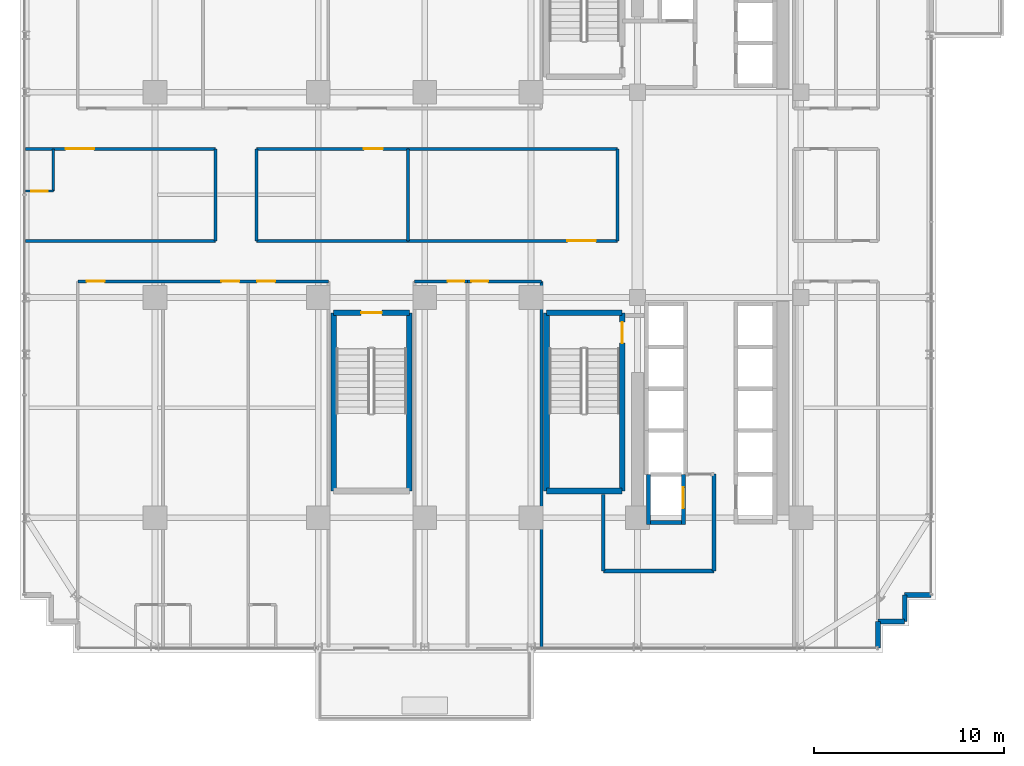
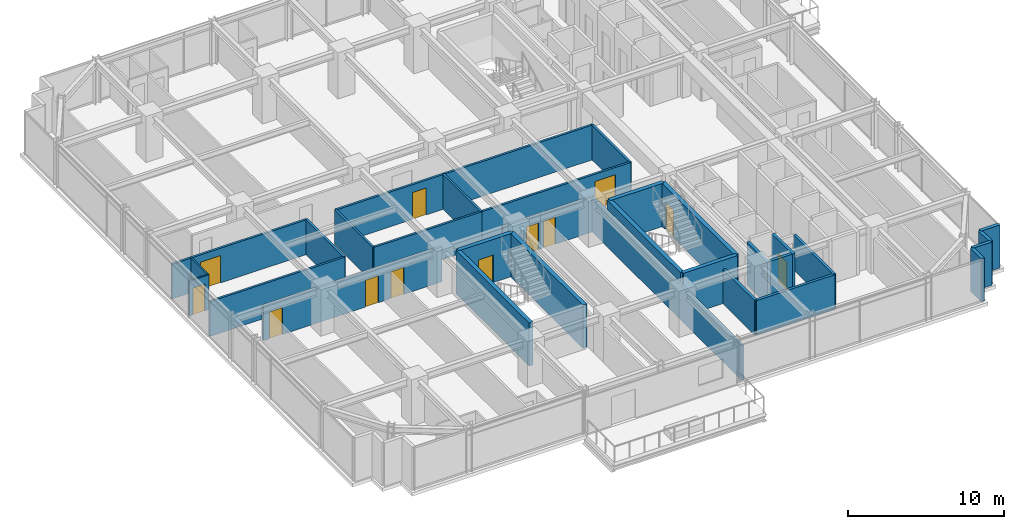
# One storey, part 27 of 33: 33 walls, 12 doors, 12 openings.
"""IFC4 building model written with IfcOpenShell, lengths in metres."""

from ifc_helpers import new_model, si_unit, direction, frame, frame_2d, origin, place, context, subcontext, project, spatial, rectangle, extrude, source, transform, mapped, material, layer, layer_set, type_object, element, fill, save


model = new_model("IFC4")

# Units and contexts
model_context = context("Model", 3, precision=1e-05, world=origin(), true_north=direction((0.0, 1.0)))
body_context = subcontext(model_context, "Body", "Model", "MODEL_VIEW")
ifc_project = project(units=[si_unit("LENGTHUNIT", "METRE"), si_unit("AREAUNIT", "SQUARE_METRE"), si_unit("VOLUMEUNIT", "CUBIC_METRE"), si_unit("PLANEANGLEUNIT", "RADIAN"), si_unit("MASSUNIT", "GRAM", prefix="KILO")], contexts=[model_context])

# Site, building, storey
site_placement = place(None, origin())
site = spatial("IfcSite", under=ifc_project, at=site_placement, CompositionType="ELEMENT")
building_placement = place(site_placement, origin())
building = spatial("IfcBuilding", under=site, at=building_placement, Name="Nahalor Promenade Grand Hotel", CompositionType="ELEMENT")
storey_placement = place(building_placement, frame((0.0, 0.0, 117.5)))
storey = spatial("IfcBuildingStorey", under=building, at=storey_placement, Name="L29", CompositionType="ELEMENT", Elevation=117.5)

# Walls
ifc_material_1 = material(Name="Concrete B-50 (C40/50)", Category="concrete")
ifc_layer_1 = layer(ifc_material_1, 0.300048828125)
ifc_layer_set_1 = layer_set([ifc_layer_1], Name="Concrete B-50 (C40/50)")
wall_type_1 = type_object("IfcWallType", Name="Wall-ShaftShear-300", PredefinedType="SHEAR", material=ifc_layer_set_1)
shared_shape_1 = source(origin(), body_context, "Body", "SweptSolid", [
    extrude(rectangle(XDim=3.97998046875, YDim=0.300048828125, at=frame_2d((1.989990234375, 0.0))), origin(), (0.0, 0.0, 1.0), 3.3798828125),
])
for number, where, z_axis, x_axis, name in (
    (1, (3.610107421875, -15.590087890625, 0.0), (0.0, 0.0, 1.0), (1.0, 0.0, 0.0), "L29 Exit Stair ST2 Shaft Wall S"),
    (2, (3.610107421875, -6.2099609375, 0.0), (0.0, 0.0, 1.0), (1.0, 0.0, 0.0), "L29 Exit Stair ST2 Shaft Wall N"),
):
    element("IfcWall", number, at=place(storey_placement, frame(where, z_axis=z_axis, x_axis=x_axis)), inside=storey, type_object=wall_type_1, Name=name, PredefinedType="SHEAR", context=body_context, shape_type="MappedRepresentation", body=[
        mapped(shared_shape_1, transform((0.0, 0.0, 0.0), scale=1.0)),
    ])

# Wall, opening, door
wall_1_placement = place(storey_placement, frame((-7.590087890625, -6.2099609375, 0.0), z_axis=(0.0, 0.0, 1.0), x_axis=(1.0, 0.0, 0.0)))
wall_1 = element("IfcWall", 3, at=wall_1_placement, inside=storey, type_object=wall_type_1, Name="L29 Exit Stair ST3 Shaft Wall N", PredefinedType="SHEAR", context=body_context, shape_type="MappedRepresentation", body=[
    mapped(shared_shape_1, transform((0.0, 0.0, 0.0), scale=1.0)),
])
opening_1_placement = place(wall_1_placement, frame((1.43994140625, 0.0, 0.0)))
opening_1 = element("IfcOpeningElement", 4, at=opening_1_placement, cuts=wall_1, Name="Opening D-ST1", PredefinedType="OPENING", context=body_context, shape_type="SweptSolid", body=[
    extrude(rectangle(XDim=1.10009765625, YDim=2.14990234375, at=frame_2d((0.550048828125, 1.074951171875))), frame((0.0, 0.159912109375, 0.0), z_axis=(0.0, -1.0, 0.0), x_axis=(1.0, 0.0, 0.0)), (0.0, 0.0, 1.0), 0.320068359375),
])
ifc_material_2 = material(Name="Steel S355JR", Category="steel")
door_type_1 = type_object("IfcDoorType", Name="Door-StairFire-1100", OperationType="NOTDEFINED", PredefinedType="DOOR", material=ifc_material_2)
shared_shape_2 = source(origin(), body_context, "Body", "SweptSolid", [
    extrude(rectangle(XDim=1.10009765625, YDim=2.14990234375, at=frame_2d((0.550048828125, 1.074951171875))), frame((0.0, 0.02490234375, 0.0), z_axis=(0.0, -1.0, 0.0), x_axis=(1.0, 0.0, 0.0)), (0.0, 0.0, 1.0), 0.050048828125),
])
door_1_placement = place(opening_1_placement, frame((1.10009765625, 0.0, 0.0), z_axis=(0.0, 0.0, 1.0), x_axis=(-1.0, 0.0, 0.0)))
door_1 = element("IfcDoor", 5, at=door_1_placement, inside=storey, type_object=door_type_1, Name="DR-STAIR-ST3-L29", OperationType="SINGLE_SWING_RIGHT", OverallHeight=2.14990234375, OverallWidth=1.10009765625, PredefinedType="DOOR", context=body_context, shape_type="MappedRepresentation", body=[
    mapped(shared_shape_2, transform((0.0, 0.0, 0.0), scale=1.0)),
])
fill(opening_1, door_1)

# Wall
shared_shape_3 = source(origin(), body_context, "Body", "SweptSolid", [
    extrude(rectangle(XDim=9.380126953125, YDim=0.300048828125, at=frame_2d((4.68994140625, 0.0))), origin(), (0.0, 0.0, 1.0), 3.3798828125),
])
wall_2_placement = place(storey_placement, frame((3.610107421875, -15.590087890625, 0.0), z_axis=(0.0, 0.0, 1.0), x_axis=(0.0, 1.0, 0.0)))
element("IfcWall", 6, at=wall_2_placement, inside=storey, type_object=wall_type_1, Name="L29 Exit Stair ST2 Shaft Wall W", PredefinedType="SHEAR", context=body_context, shape_type="MappedRepresentation", body=[
    mapped(shared_shape_3, transform((0.0, 0.0, 0.0), scale=1.0)),
])

# Wall, opening, door
wall_3_placement = place(storey_placement, frame((7.590087890625, -15.590087890625, 0.0), z_axis=(0.0, 0.0, 1.0), x_axis=(0.0, 1.0, 0.0)))
wall_3 = element("IfcWall", 7, at=wall_3_placement, inside=storey, type_object=wall_type_1, Name="L29 Exit Stair ST2 Shaft Wall E", PredefinedType="SHEAR", context=body_context, shape_type="MappedRepresentation", body=[
    mapped(shared_shape_3, transform((0.0, 0.0, 0.0), scale=1.0)),
])
opening_2_placement = place(wall_3_placement, frame((7.7900390625, 0.0, 0.0)))
opening_2 = element("IfcOpeningElement", 8, at=opening_2_placement, cuts=wall_3, Name="Opening D-ST1", PredefinedType="OPENING", context=body_context, shape_type="SweptSolid", body=[
    extrude(rectangle(XDim=1.10009765625, YDim=2.14990234375, at=frame_2d((0.550048828125, 1.074951171875))), frame((0.0, 0.159912109375, 0.0), z_axis=(0.0, -1.0, 0.0), x_axis=(1.0, 0.0, 0.0)), (0.0, 0.0, 1.0), 0.320068359375),
])
door_2_placement = place(opening_2_placement, origin())
door_2 = element("IfcDoor", 9, at=door_2_placement, inside=storey, type_object=door_type_1, Name="DR-STAIR-ST2-L29", OperationType="SINGLE_SWING_RIGHT", OverallHeight=2.14990234375, OverallWidth=1.10009765625, PredefinedType="DOOR", context=body_context, shape_type="MappedRepresentation", body=[
    mapped(shared_shape_2, transform((0.0, 0.0, 0.0), scale=1.0)),
])
fill(opening_2, door_2)

# Walls
for number, where, z_axis, x_axis, name in (
    (10, (-7.590087890625, -15.590087890625, 0.0), (0.0, 0.0, 1.0), (0.0, 1.0, 0.0), "L29 Exit Stair ST3 Shaft Wall W"),
    (11, (-3.610107421875, -15.590087890625, 0.0), (0.0, 0.0, 1.0), (0.0, 1.0, 0.0), "L29 Exit Stair ST3 Shaft Wall E"),
):
    element("IfcWall", number, at=place(storey_placement, frame(where, z_axis=z_axis, x_axis=x_axis)), inside=storey, type_object=wall_type_1, Name=name, PredefinedType="SHEAR", context=body_context, shape_type="MappedRepresentation", body=[
        mapped(shared_shape_3, transform((0.0, 0.0, 0.0), scale=1.0)),
    ])
ifc_layer_2 = layer(ifc_material_1, 0.219970703125)
ifc_layer_set_2 = layer_set([ifc_layer_2], Name="Concrete B-50 (C40/50)")
wall_type_2 = type_object("IfcWallType", Name="Wall-LiftShaft-220", PredefinedType="SHEAR", material=ifc_layer_set_2)
shared_shape_4 = source(origin(), body_context, "Body", "SweptSolid", [
    extrude(rectangle(XDim=2.635009765625, YDim=0.219970703125, at=frame_2d((1.3173828125, 0.0))), origin(), (0.0, 0.0, 1.0), 3.3798828125),
])
wall_4_placement = place(storey_placement, frame((8.97998046875, -17.360107421875, 0.0), z_axis=(0.0, 0.0, 1.0), x_axis=(0.0, 1.0, 0.0)))
element("IfcWall", 12, at=wall_4_placement, inside=storey, type_object=wall_type_2, Name="L29 Lift FL2 Hoistway Wall W", PredefinedType="SHEAR", context=body_context, shape_type="MappedRepresentation", body=[
    mapped(shared_shape_4, transform((0.0, 0.0, 0.0), scale=1.0)),
])

# Wall, opening, door
wall_5_placement = place(storey_placement, frame((10.820068359375, -17.360107421875, 0.0), z_axis=(0.0, 0.0, 1.0), x_axis=(0.0, 1.0, 0.0)))
wall_5 = element("IfcWall", 13, at=wall_5_placement, inside=storey, type_object=wall_type_2, Name="L29 Lift FL2 Hoistway Wall E", PredefinedType="SHEAR", context=body_context, shape_type="MappedRepresentation", body=[
    mapped(shared_shape_4, transform((0.0, 0.0, 0.0), scale=1.0)),
])
opening_3_placement = place(wall_5_placement, frame((0.860107421875, 0.0, 0.0)))
opening_3 = element("IfcOpeningElement", 14, at=opening_3_placement, cuts=wall_5, Name="Opening LD-02", PredefinedType="OPENING", context=body_context, shape_type="SweptSolid", body=[
    extrude(rectangle(XDim=1.10009765625, YDim=2.199951171875, at=frame_2d((0.550048828125, 1.10009765625))), frame((0.0, 0.119873046875, 0.0), z_axis=(0.0, -1.0, 0.0), x_axis=(1.0, 0.0, 0.0)), (0.0, 0.0, 1.0), 0.239990234375),
])
door_type_2 = type_object("IfcDoorType", Name="Door-LiftFF-1100", OperationType="DOUBLE_DOOR_SLIDING", PredefinedType="DOOR", material=ifc_material_2)
shared_shape_5 = source(origin(), body_context, "Body", "SweptSolid", [
    extrude(rectangle(XDim=1.10009765625, YDim=2.199951171875, at=frame_2d((0.550048828125, 1.10009765625))), frame((0.0, 0.02490234375, 0.0), z_axis=(0.0, -1.0, 0.0), x_axis=(1.0, 0.0, 0.0)), (0.0, 0.0, 1.0), 0.050048828125),
])
door_3_placement = place(opening_3_placement, frame((1.10009765625, 0.0, 0.0), z_axis=(0.0, 0.0, 1.0), x_axis=(-1.0, 0.0, 0.0)))
door_3 = element("IfcDoor", 15, at=door_3_placement, inside=storey, type_object=door_type_2, Name="DR-LIFT-FL2-L29", OperationType="DOUBLE_DOOR_SLIDING", OverallHeight=2.199951171875, OverallWidth=1.10009765625, PredefinedType="DOOR", context=body_context, shape_type="MappedRepresentation", body=[
    mapped(shared_shape_5, transform((0.0, 0.0, 0.0), scale=1.0)),
])
fill(opening_3, door_3)

# Walls
shared_shape_6 = source(origin(), body_context, "Body", "SweptSolid", [
    extrude(rectangle(XDim=1.619873046875, YDim=0.219970703125, at=frame_2d((0.81005859375, 0.0))), origin(), (0.0, 0.0, 1.0), 3.3798828125),
])
wall_6_placement = place(storey_placement, frame((9.090087890625, -17.25, 0.0), z_axis=(0.0, 0.0, 1.0), x_axis=(1.0, 0.0, 0.0)))
element("IfcWall", 16, at=wall_6_placement, inside=storey, type_object=wall_type_2, Name="L29 Lift FL2 Hoistway Wall S", PredefinedType="SHEAR", context=body_context, shape_type="MappedRepresentation", body=[
    mapped(shared_shape_6, transform((0.0, 0.0, 0.0), scale=1.0)),
])
ifc_material_3 = material(Name="Concrete B-40 (C32/40)", Category="concrete")
ifc_layer_3 = layer(ifc_material_3, 0.25)
ifc_layer_set_3 = layer_set([ifc_layer_3], Name="Concrete B-40 (C32/40)")
wall_type_3 = type_object("IfcWallType", Name="Wall-BronzePier-250", PredefinedType="STANDARD", material=ifc_layer_set_3)
shared_shape_7 = source(origin(), body_context, "Body", "SweptSolid", [
    extrude(rectangle(XDim=1.400146484375, YDim=0.25, at=frame_2d((0.7001953125, 0.0))), origin(), (0.0, 0.0, 1.0), 3.3798828125),
])
for number, where, z_axis, x_axis, name in (
    (17, (21.06005859375, -23.860107421875, 0.0), (0.0, 0.0, 1.0), (0.0, 1.0, 0.0), "W-L29-SR-01"),
    (18, (22.4599609375, -21.06005859375, 0.0), (0.0, 0.0, 1.0), (1.0, 0.0, 0.0), "W-L29-SR-04"),
):
    element("IfcWall", number, at=place(storey_placement, frame(where, z_axis=z_axis, x_axis=x_axis)), inside=storey, type_object=wall_type_3, Name=name, PredefinedType="STANDARD", context=body_context, shape_type="MappedRepresentation", body=[
        mapped(shared_shape_7, transform((0.0, 0.0, 0.0), scale=1.0)),
    ])
shared_shape_8 = source(origin(), body_context, "Body", "SweptSolid", [
    extrude(rectangle(XDim=1.39990234375, YDim=0.25, at=frame_2d((0.699951171875, 0.0))), origin(), (0.0, 0.0, 1.0), 3.3798828125),
])
for number, where, z_axis, x_axis, name in (
    (19, (21.06005859375, -22.4599609375, 0.0), (0.0, 0.0, 1.0), (1.0, 0.0, 0.0), "W-L29-SR-02"),
    (20, (22.4599609375, -22.4599609375, 0.0), (0.0, 0.0, 1.0), (0.0, 1.0, 0.0), "W-L29-SR-03"),
):
    element("IfcWall", number, at=place(storey_placement, frame(where, z_axis=z_axis, x_axis=x_axis)), inside=storey, type_object=wall_type_3, Name=name, PredefinedType="STANDARD", context=body_context, shape_type="MappedRepresentation", body=[
        mapped(shared_shape_8, transform((0.0, 0.0, 0.0), scale=1.0)),
    ])
ifc_layer_4 = layer(ifc_material_3, 0.199951171875)
ifc_layer_set_4 = layer_set([ifc_layer_4], Name="Concrete B-40 (C32/40)")
wall_type_4 = type_object("IfcWallType", Name="Wall-PartFire-200", PredefinedType="PARTITIONING", material=ifc_layer_set_4)
shared_shape_9 = source(origin(), body_context, "Body", "SweptSolid", [
    extrude(rectangle(XDim=5.81982421875, YDim=0.199951171875, at=frame_2d((2.909912109375, 0.0))), origin(), (0.0, 0.0, 1.0), 2.719970703125),
])
wall_7_placement = place(storey_placement, frame((6.60009765625, -19.800048828125, 0.0), z_axis=(0.0, 0.0, 1.0), x_axis=(1.0, 0.0, 0.0)))
element("IfcWall", 21, at=wall_7_placement, inside=storey, type_object=wall_type_4, Name="W-L29-FF2-S1", PredefinedType="PARTITIONING", context=body_context, shape_type="MappedRepresentation", body=[
    mapped(shared_shape_9, transform((0.0, 0.0, 0.0), scale=1.0)),
])
shared_shape_10 = source(origin(), body_context, "Body", "SweptSolid", [
    extrude(rectangle(XDim=4.030029296875, YDim=0.199951171875, at=frame_2d((2.01513671875, 0.0))), origin(), (0.0, 0.0, 1.0), 2.719970703125),
])
wall_8_placement = place(storey_placement, frame((6.60009765625, -19.800048828125, 0.0), z_axis=(0.0, 0.0, 1.0), x_axis=(0.0, 1.0, 0.0)))
element("IfcWall", 22, at=wall_8_placement, inside=storey, type_object=wall_type_4, Name="W-L29-FF2-W1", PredefinedType="PARTITIONING", context=body_context, shape_type="MappedRepresentation", body=[
    mapped(shared_shape_10, transform((0.0, 0.0, 0.0), scale=1.0)),
])
shared_shape_11 = source(origin(), body_context, "Body", "SweptSolid", [
    extrude(rectangle(XDim=5.10009765625, YDim=0.199951171875, at=frame_2d((2.550048828125, 0.0))), origin(), (0.0, 0.0, 1.0), 2.719970703125),
])
wall_9_placement = place(storey_placement, frame((12.419921875, -19.800048828125, 0.0), z_axis=(0.0, 0.0, 1.0), x_axis=(0.0, 1.0, 0.0)))
element("IfcWall", 23, at=wall_9_placement, inside=storey, type_object=wall_type_4, Name="W-L29-FF2-E", PredefinedType="PARTITIONING", context=body_context, shape_type="MappedRepresentation", body=[
    mapped(shared_shape_11, transform((0.0, 0.0, 0.0), scale=1.0)),
])
ifc_material_4 = material(Name="Acoustic Mineral Gypsum", Category="gypsum")
ifc_layer_5 = layer(ifc_material_4, 0.159912109375)
ifc_layer_set_5 = layer_set([ifc_layer_5], Name="Acoustic Mineral Gypsum")
wall_type_5 = type_object("IfcWallType", Name="Wall-PartCorridor-160", PredefinedType="PARTITIONING", material=ifc_layer_set_5)
shared_shape_12 = source(origin(), body_context, "Body", "SweptSolid", [
    extrude(rectangle(XDim=19.25, YDim=0.159912109375, at=frame_2d((9.625, 0.0))), origin(), (0.0, 0.0, 1.0), 2.719970703125),
])
wall_10_placement = place(storey_placement, frame((3.340087890625, -23.800048828125, 0.0), z_axis=(0.0, 0.0, 1.0), x_axis=(0.0, 1.0, 0.0)))
element("IfcWall", 24, at=wall_10_placement, inside=storey, type_object=wall_type_5, Name="W-L29-SCB2-E", PredefinedType="PARTITIONING", context=body_context, shape_type="MappedRepresentation", body=[
    mapped(shared_shape_12, transform((0.0, 0.0, 0.0), scale=1.0)),
])
ifc_layer_6 = layer(ifc_material_4, 0.1201171875)
ifc_layer_set_6 = layer_set([ifc_layer_6], Name="Acoustic Mineral Gypsum")
wall_type_6 = type_object("IfcWallType", Name="Wall-PartBath-120", PredefinedType="PARTITIONING", material=ifc_layer_set_6)
shared_shape_13 = source(origin(), body_context, "Body", "SweptSolid", [
    extrude(rectangle(XDim=2.219970703125, YDim=0.1201171875, at=frame_2d((1.10986328125, 0.0))), origin(), (0.0, 0.0, 1.0), 2.719970703125),
])
wall_11_placement = place(storey_placement, frame((-22.35009765625, 0.199951171875, 0.0), z_axis=(0.0, 0.0, 1.0), x_axis=(0.0, 1.0, 0.0)))
element("IfcWall", 25, at=wall_11_placement, inside=storey, type_object=wall_type_6, Name="W-L29-W1-BV", PredefinedType="PARTITIONING", context=body_context, shape_type="MappedRepresentation", body=[
    mapped(shared_shape_13, transform((0.0, 0.0, 0.0), scale=1.0)),
])

# Wall, opening, door
shared_shape_14 = source(origin(), body_context, "Body", "SweptSolid", [
    extrude(rectangle(XDim=1.449951171875, YDim=0.1201171875, at=frame_2d((0.72509765625, 0.0))), origin(), (0.0, 0.0, 1.0), 2.719970703125),
])
wall_12_placement = place(storey_placement, frame((-23.800048828125, 0.199951171875, 0.0), z_axis=(0.0, 0.0, 1.0), x_axis=(1.0, 0.0, 0.0)))
wall_12 = element("IfcWall", 26, at=wall_12_placement, inside=storey, type_object=wall_type_6, Name="W-L29-W1-BH", PredefinedType="PARTITIONING", context=body_context, shape_type="MappedRepresentation", body=[
    mapped(shared_shape_14, transform((0.0, 0.0, 0.0), scale=1.0)),
])
opening_4_placement = place(wall_12_placement, frame((0.284912109375, 0.0, 0.0)))
opening_4 = element("IfcOpeningElement", 27, at=opening_4_placement, cuts=wall_12, Name="Opening D-03", PredefinedType="OPENING", context=body_context, shape_type="SweptSolid", body=[
    extrude(rectangle(XDim=0.8798828125, YDim=2.10009765625, at=frame_2d((0.43994140625, 1.050048828125))), frame((0.0, 0.070068359375, 0.0), z_axis=(0.0, -1.0, 0.0), x_axis=(1.0, 0.0, 0.0)), (0.0, 0.0, 1.0), 0.14013671875),
])
ifc_material_5 = material(Name="Fire-Rated Timber Composite", Category="wood")
door_type_3 = type_object("IfcDoorType", Name="Door-BathSwing-880", OperationType="NOTDEFINED", PredefinedType="DOOR", material=ifc_material_5)
shared_shape_15 = source(origin(), body_context, "Body", "SweptSolid", [
    extrude(rectangle(XDim=0.8798828125, YDim=2.10009765625, at=frame_2d((0.43994140625, 1.050048828125))), frame((0.0, 0.02490234375, 0.0), z_axis=(0.0, -1.0, 0.0), x_axis=(1.0, 0.0, 0.0)), (0.0, 0.0, 1.0), 0.050048828125),
])
door_4_placement = place(opening_4_placement, origin())
door_4 = element("IfcDoor", 28, at=door_4_placement, inside=storey, type_object=door_type_3, Name="DR-L29-W1-BATH", OperationType="SINGLE_SWING_LEFT", OverallHeight=2.10009765625, OverallWidth=0.8798828125, PredefinedType="DOOR", context=body_context, shape_type="MappedRepresentation", body=[
    mapped(shared_shape_15, transform((0.0, 0.0, 0.0), scale=1.0)),
])
fill(opening_4, door_4)

# Wall, openings, doors
shared_shape_16 = source(origin(), body_context, "Body", "SweptSolid", [
    extrude(rectangle(XDim=13.199951171875, YDim=0.159912109375, at=frame_2d((6.60009765625, 0.0))), origin(), (0.0, 0.0, 1.0), 2.719970703125),
])
wall_13_placement = place(storey_placement, frame((-21.06005859375, -4.550048828125, 0.0), z_axis=(0.0, 0.0, 1.0), x_axis=(1.0, 0.0, 0.0)))
wall_13 = element("IfcWall", 29, at=wall_13_placement, inside=storey, type_object=wall_type_5, Name="W-L29-CORR-S", PredefinedType="PARTITIONING", context=body_context, shape_type="MappedRepresentation", body=[
    mapped(shared_shape_16, transform((0.0, 0.0, 0.0), scale=1.0)),
])
opening_5_placement = place(wall_13_placement, frame((0.464111328125, 0.0, 0.0)))
opening_5 = element("IfcOpeningElement", 30, at=opening_5_placement, cuts=wall_13, Name="Opening D-01", PredefinedType="OPENING", context=body_context, shape_type="SweptSolid", body=[
    extrude(rectangle(XDim=0.949951171875, YDim=2.10009765625, at=frame_2d((0.47509765625, 1.050048828125))), frame((0.0, 0.08984375, 0.0), z_axis=(0.0, -1.0, 0.0), x_axis=(1.0, 0.0, 0.0)), (0.0, 0.0, 1.0), 0.179931640625),
])
opening_6_placement = place(wall_13_placement, frame((7.56201171875, 0.0, 0.0)))
opening_6 = element("IfcOpeningElement", 31, at=opening_6_placement, cuts=wall_13, Name="Opening D-01", PredefinedType="OPENING", context=body_context, shape_type="SweptSolid", body=[
    extrude(rectangle(XDim=0.949951171875, YDim=2.10009765625, at=frame_2d((0.47509765625, 1.050048828125))), frame((0.0, 0.08984375, 0.0), z_axis=(0.0, -1.0, 0.0), x_axis=(1.0, 0.0, 0.0)), (0.0, 0.0, 1.0), 0.179931640625),
])
opening_7_placement = place(wall_13_placement, frame((9.43505859375, 0.0, 0.0)))
opening_7 = element("IfcOpeningElement", 32, at=opening_7_placement, cuts=wall_13, Name="Opening D-01", PredefinedType="OPENING", context=body_context, shape_type="SweptSolid", body=[
    extrude(rectangle(XDim=0.949951171875, YDim=2.10009765625, at=frame_2d((0.47509765625, 1.050048828125))), frame((0.0, 0.08984375, 0.0), z_axis=(0.0, -1.0, 0.0), x_axis=(1.0, 0.0, 0.0)), (0.0, 0.0, 1.0), 0.179931640625),
])
door_type_4 = type_object("IfcDoorType", Name="Door-GuestEntry-950", OperationType="NOTDEFINED", PredefinedType="DOOR", material=ifc_material_5)
shared_shape_17 = source(origin(), body_context, "Body", "SweptSolid", [
    extrude(rectangle(XDim=0.949951171875, YDim=2.10009765625, at=frame_2d((0.47509765625, 1.050048828125))), frame((0.0, 0.02490234375, 0.0), z_axis=(0.0, -1.0, 0.0), x_axis=(1.0, 0.0, 0.0)), (0.0, 0.0, 1.0), 0.050048828125),
])
door_5_placement = place(opening_5_placement, frame((0.949951171875, 0.0, 0.0), z_axis=(0.0, 0.0, 1.0), x_axis=(-1.0, 0.0, 0.0)))
door_5 = element("IfcDoor", 33, at=door_5_placement, inside=storey, type_object=door_type_4, Name="DR-L29-S1-ENT", OperationType="SINGLE_SWING_RIGHT", OverallHeight=2.10009765625, OverallWidth=0.949951171875, PredefinedType="DOOR", context=body_context, shape_type="MappedRepresentation", body=[
    mapped(shared_shape_17, transform((0.0, 0.0, 0.0), scale=1.0)),
])
fill(opening_5, door_5)
door_6_placement = place(opening_6_placement, frame((0.949951171875, 0.0, 0.0), z_axis=(0.0, 0.0, 1.0), x_axis=(-1.0, 0.0, 0.0)))
door_6 = element("IfcDoor", 34, at=door_6_placement, inside=storey, type_object=door_type_4, Name="DR-L29-S2-ENT", OperationType="SINGLE_SWING_RIGHT", OverallHeight=2.10009765625, OverallWidth=0.949951171875, PredefinedType="DOOR", context=body_context, shape_type="MappedRepresentation", body=[
    mapped(shared_shape_17, transform((0.0, 0.0, 0.0), scale=1.0)),
])
fill(opening_6, door_6)
door_7_placement = place(opening_7_placement, frame((0.949951171875, 0.0, 0.0), z_axis=(0.0, 0.0, 1.0), x_axis=(-1.0, 0.0, 0.0)))
door_7 = element("IfcDoor", 35, at=door_7_placement, inside=storey, type_object=door_type_4, Name="DR-L29-S3-ENT", OperationType="SINGLE_SWING_RIGHT", OverallHeight=2.10009765625, OverallWidth=0.949951171875, PredefinedType="DOOR", context=body_context, shape_type="MappedRepresentation", body=[
    mapped(shared_shape_17, transform((0.0, 0.0, 0.0), scale=1.0)),
])
fill(opening_7, door_7)

# Walls
shared_shape_18 = source(origin(), body_context, "Body", "SweptSolid", [
    extrude(rectangle(XDim=4.83984375, YDim=0.159912109375, at=frame_2d((2.419921875, 0.0))), origin(), (0.0, 0.0, 1.0), 2.719970703125),
])
for number, where, z_axis, x_axis, name in (
    (36, (-13.800048828125, -2.419921875, 0.0), (0.0, 0.0, 1.0), (0.0, 1.0, 0.0), "W-L29-WEST-E"),
    (37, (-11.64990234375, -2.419921875, 0.0), (0.0, 0.0, 1.0), (0.0, 1.0, 0.0), "W-L29-CM1-W"),
    (38, (-3.669921875, -2.419921875, 0.0), (0.0, 0.0, 1.0), (0.0, 1.0, 0.0), "W-L29-CM1-E"),
    (39, (7.35009765625, -2.419921875, 0.0), (0.0, 0.0, 1.0), (0.0, 1.0, 0.0), "W-L29-CM2-E"),
):
    element("IfcWall", number, at=place(storey_placement, frame(where, z_axis=z_axis, x_axis=x_axis)), inside=storey, type_object=wall_type_5, Name=name, PredefinedType="PARTITIONING", context=body_context, shape_type="MappedRepresentation", body=[
        mapped(shared_shape_18, transform((0.0, 0.0, 0.0), scale=1.0)),
    ])

# Wall, opening, door
shared_shape_19 = source(origin(), body_context, "Body", "SweptSolid", [
    extrude(rectangle(XDim=2.7900390625, YDim=0.159912109375, at=frame_2d((1.39501953125, 0.0))), origin(), (0.0, 0.0, 1.0), 2.719970703125),
])
wall_14_placement = place(storey_placement, frame((-3.340087890625, -4.550048828125, 0.0), z_axis=(0.0, 0.0, 1.0), x_axis=(1.0, 0.0, 0.0)))
wall_14 = element("IfcWall", 40, at=wall_14_placement, inside=storey, type_object=wall_type_5, Name="W-L29-SCB1-N", PredefinedType="PARTITIONING", context=body_context, shape_type="MappedRepresentation", body=[
    mapped(shared_shape_19, transform((0.0, 0.0, 0.0), scale=1.0)),
])
opening_8_placement = place(wall_14_placement, frame((1.75, 0.0, 0.0)))
opening_8 = element("IfcOpeningElement", 41, at=opening_8_placement, cuts=wall_14, Name="Opening D-03", PredefinedType="OPENING", context=body_context, shape_type="SweptSolid", body=[
    extrude(rectangle(XDim=0.8798828125, YDim=2.10009765625, at=frame_2d((0.43994140625, 1.050048828125))), frame((0.0, 0.08984375, 0.0), z_axis=(0.0, -1.0, 0.0), x_axis=(1.0, 0.0, 0.0)), (0.0, 0.0, 1.0), 0.179931640625),
])
door_8_placement = place(opening_8_placement, frame((0.8798828125, 0.0, 0.0), z_axis=(0.0, 0.0, 1.0), x_axis=(-1.0, 0.0, 0.0)))
door_8 = element("IfcDoor", 42, at=door_8_placement, inside=storey, type_object=door_type_3, Name="DR-L29-SCB1", OperationType="SINGLE_SWING_LEFT", OverallHeight=2.10009765625, OverallWidth=0.8798828125, PredefinedType="DOOR", context=body_context, shape_type="MappedRepresentation", body=[
    mapped(shared_shape_15, transform((0.0, 0.0, 0.0), scale=1.0)),
])
fill(opening_8, door_8)

shared_shape_20 = source(origin(), body_context, "Body", "SweptSolid", [
    extrude(rectangle(XDim=3.89013671875, YDim=0.159912109375, at=frame_2d((1.945068359375, 0.0))), origin(), (0.0, 0.0, 1.0), 2.719970703125),
])
wall_15_placement = place(storey_placement, frame((-0.550048828125, -4.550048828125, 0.0), z_axis=(0.0, 0.0, 1.0), x_axis=(1.0, 0.0, 0.0)))
wall_15 = element("IfcWall", 43, at=wall_15_placement, inside=storey, type_object=wall_type_5, Name="W-L29-SCB2-N", PredefinedType="PARTITIONING", context=body_context, shape_type="MappedRepresentation", body=[
    mapped(shared_shape_20, transform((0.0, 0.0, 0.0), scale=1.0)),
])
opening_9_placement = place(wall_15_placement, frame((0.2099609375, 0.0, 0.0)))
opening_9 = element("IfcOpeningElement", 44, at=opening_9_placement, cuts=wall_15, Name="Opening D-03", PredefinedType="OPENING", context=body_context, shape_type="SweptSolid", body=[
    extrude(rectangle(XDim=0.8798828125, YDim=2.10009765625, at=frame_2d((0.43994140625, 1.050048828125))), frame((0.0, 0.08984375, 0.0), z_axis=(0.0, -1.0, 0.0), x_axis=(1.0, 0.0, 0.0)), (0.0, 0.0, 1.0), 0.179931640625),
])
door_9_placement = place(opening_9_placement, frame((0.8798828125, 0.0, 0.0), z_axis=(0.0, 0.0, 1.0), x_axis=(-1.0, 0.0, 0.0)))
door_9 = element("IfcDoor", 45, at=door_9_placement, inside=storey, type_object=door_type_3, Name="DR-L29-SCB2", OperationType="SINGLE_SWING_RIGHT", OverallHeight=2.10009765625, OverallWidth=0.8798828125, PredefinedType="DOOR", context=body_context, shape_type="MappedRepresentation", body=[
    mapped(shared_shape_15, transform((0.0, 0.0, 0.0), scale=1.0)),
])
fill(opening_9, door_9)

shared_shape_21 = source(origin(), body_context, "Body", "SweptSolid", [
    extrude(rectangle(XDim=10.0, YDim=0.159912109375, at=frame_2d((5.0, 0.0))), origin(), (0.0, 0.0, 1.0), 2.719970703125),
])
wall_16_placement = place(storey_placement, frame((-23.800048828125, 2.419921875, 0.0), z_axis=(0.0, 0.0, 1.0), x_axis=(1.0, 0.0, 0.0)))
wall_16 = element("IfcWall", 46, at=wall_16_placement, inside=storey, type_object=wall_type_5, Name="W-L29-WEST-N", PredefinedType="PARTITIONING", context=body_context, shape_type="MappedRepresentation", body=[
    mapped(shared_shape_21, transform((0.0, 0.0, 0.0), scale=1.0)),
])
opening_10_placement = place(wall_16_placement, frame((2.10009765625, 0.0, 0.0)))
opening_10 = element("IfcOpeningElement", 47, at=opening_10_placement, cuts=wall_16, Name="Opening D-02", PredefinedType="OPENING", context=body_context, shape_type="SweptSolid", body=[
    extrude(rectangle(XDim=1.5, YDim=2.14990234375, at=frame_2d((0.75, 1.074951171875))), frame((0.0, 0.08984375, 0.0), z_axis=(0.0, -1.0, 0.0), x_axis=(1.0, 0.0, 0.0)), (0.0, 0.0, 1.0), 0.179931640625),
])
door_type_5 = type_object("IfcDoorType", Name="Door-SuiteDouble-1500", OperationType="DOUBLE_DOOR_SINGLE_SWING", PredefinedType="DOOR", material=ifc_material_5)
shared_shape_22 = source(origin(), body_context, "Body", "SweptSolid", [
    extrude(rectangle(XDim=1.5, YDim=2.14990234375, at=frame_2d((0.75, 1.074951171875))), frame((0.0, 0.02490234375, 0.0), z_axis=(0.0, -1.0, 0.0), x_axis=(1.0, 0.0, 0.0)), (0.0, 0.0, 1.0), 0.050048828125),
])
door_10_placement = place(opening_10_placement, origin())
door_10 = element("IfcDoor", 48, at=door_10_placement, inside=storey, type_object=door_type_5, Name="DR-L29-W1-ENT", OperationType="DOUBLE_DOOR_SINGLE_SWING", OverallHeight=2.14990234375, OverallWidth=1.5, PredefinedType="DOOR", context=body_context, shape_type="MappedRepresentation", body=[
    mapped(shared_shape_22, transform((0.0, 0.0, 0.0), scale=1.0)),
])
fill(opening_10, door_10)

# Walls
wall_17_placement = place(storey_placement, frame((-23.800048828125, -2.419921875, 0.0), z_axis=(0.0, 0.0, 1.0), x_axis=(1.0, 0.0, 0.0)))
element("IfcWall", 49, at=wall_17_placement, inside=storey, type_object=wall_type_5, Name="W-L29-WEST-S", PredefinedType="PARTITIONING", context=body_context, shape_type="MappedRepresentation", body=[
    mapped(shared_shape_21, transform((0.0, 0.0, 0.0), scale=1.0)),
])
shared_shape_23 = source(origin(), body_context, "Body", "SweptSolid", [
    extrude(rectangle(XDim=7.97998046875, YDim=0.159912109375, at=frame_2d((3.989990234375, 0.0))), origin(), (0.0, 0.0, 1.0), 2.719970703125),
])
wall_18_placement = place(storey_placement, frame((-11.64990234375, -2.419921875, 0.0), z_axis=(0.0, 0.0, 1.0), x_axis=(1.0, 0.0, 0.0)))
element("IfcWall", 50, at=wall_18_placement, inside=storey, type_object=wall_type_5, Name="W-L29-CM1-S", PredefinedType="PARTITIONING", context=body_context, shape_type="MappedRepresentation", body=[
    mapped(shared_shape_23, transform((0.0, 0.0, 0.0), scale=1.0)),
])

# Wall, opening, door
wall_19_placement = place(storey_placement, frame((-11.64990234375, 2.419921875, 0.0), z_axis=(0.0, 0.0, 1.0), x_axis=(1.0, 0.0, 0.0)))
wall_19 = element("IfcWall", 51, at=wall_19_placement, inside=storey, type_object=wall_type_5, Name="W-L29-CM1-N", PredefinedType="PARTITIONING", context=body_context, shape_type="MappedRepresentation", body=[
    mapped(shared_shape_23, transform((0.0, 0.0, 0.0), scale=1.0)),
])
opening_11_placement = place(wall_19_placement, frame((5.653076171875, 0.0, 0.0)))
opening_11 = element("IfcOpeningElement", 52, at=opening_11_placement, cuts=wall_19, Name="Opening D-04", PredefinedType="OPENING", context=body_context, shape_type="SweptSolid", body=[
    extrude(rectangle(XDim=1.0, YDim=2.10009765625, at=frame_2d((0.5, 1.050048828125))), frame((0.0, 0.08984375, 0.0), z_axis=(0.0, -1.0, 0.0), x_axis=(1.0, 0.0, 0.0)), (0.0, 0.0, 1.0), 0.179931640625),
])
door_type_6 = type_object("IfcDoorType", Name="Door-ServiceFire-1000", OperationType="NOTDEFINED", PredefinedType="DOOR", material=ifc_material_2)
shared_shape_24 = source(origin(), body_context, "Body", "SweptSolid", [
    extrude(rectangle(XDim=1.0, YDim=2.10009765625, at=frame_2d((0.5, 1.050048828125))), frame((0.0, 0.02490234375, 0.0), z_axis=(0.0, -1.0, 0.0), x_axis=(1.0, 0.0, 0.0)), (0.0, 0.0, 1.0), 0.050048828125),
])
door_11_placement = place(opening_11_placement, frame((1.0, 0.0, 0.0), z_axis=(0.0, 0.0, 1.0), x_axis=(-1.0, 0.0, 0.0)))
door_11 = element("IfcDoor", 53, at=door_11_placement, inside=storey, type_object=door_type_6, Name="DR-L29-CM1", OperationType="SINGLE_SWING_RIGHT", OverallHeight=2.10009765625, OverallWidth=1.0, PredefinedType="DOOR", context=body_context, shape_type="MappedRepresentation", body=[
    mapped(shared_shape_24, transform((0.0, 0.0, 0.0), scale=1.0)),
])
fill(opening_11, door_11)

shared_shape_25 = source(origin(), body_context, "Body", "SweptSolid", [
    extrude(rectangle(XDim=11.02001953125, YDim=0.159912109375, at=frame_2d((5.510009765625, 0.0))), origin(), (0.0, 0.0, 1.0), 2.719970703125),
])
wall_20_placement = place(storey_placement, frame((-3.669921875, -2.419921875, 0.0), z_axis=(0.0, 0.0, 1.0), x_axis=(1.0, 0.0, 0.0)))
wall_20 = element("IfcWall", 54, at=wall_20_placement, inside=storey, type_object=wall_type_5, Name="W-L29-CM2-S", PredefinedType="PARTITIONING", context=body_context, shape_type="MappedRepresentation", body=[
    mapped(shared_shape_25, transform((0.0, 0.0, 0.0), scale=1.0)),
])
opening_12_placement = place(wall_20_placement, frame((8.383056640625, 0.0, 0.0)))
opening_12 = element("IfcOpeningElement", 55, at=opening_12_placement, cuts=wall_20, Name="Opening D-02", PredefinedType="OPENING", context=body_context, shape_type="SweptSolid", body=[
    extrude(rectangle(XDim=1.5, YDim=2.14990234375, at=frame_2d((0.75, 1.074951171875))), frame((0.0, 0.08984375, 0.0), z_axis=(0.0, -1.0, 0.0), x_axis=(1.0, 0.0, 0.0)), (0.0, 0.0, 1.0), 0.179931640625),
])
door_12_placement = place(opening_12_placement, origin())
door_12 = element("IfcDoor", 56, at=door_12_placement, inside=storey, type_object=door_type_5, Name="DR-L29-CM2", OperationType="DOUBLE_DOOR_SINGLE_SWING", OverallHeight=2.14990234375, OverallWidth=1.5, PredefinedType="DOOR", context=body_context, shape_type="MappedRepresentation", body=[
    mapped(shared_shape_22, transform((0.0, 0.0, 0.0), scale=1.0)),
])
fill(opening_12, door_12)

# Wall
wall_21_placement = place(storey_placement, frame((-3.669921875, 2.419921875, 0.0), z_axis=(0.0, 0.0, 1.0), x_axis=(1.0, 0.0, 0.0)))
element("IfcWall", 57, at=wall_21_placement, inside=storey, type_object=wall_type_5, Name="W-L29-CM2-N", PredefinedType="PARTITIONING", context=body_context, shape_type="MappedRepresentation", body=[
    mapped(shared_shape_25, transform((0.0, 0.0, 0.0), scale=1.0)),
])

save(model, "model.ifc")
